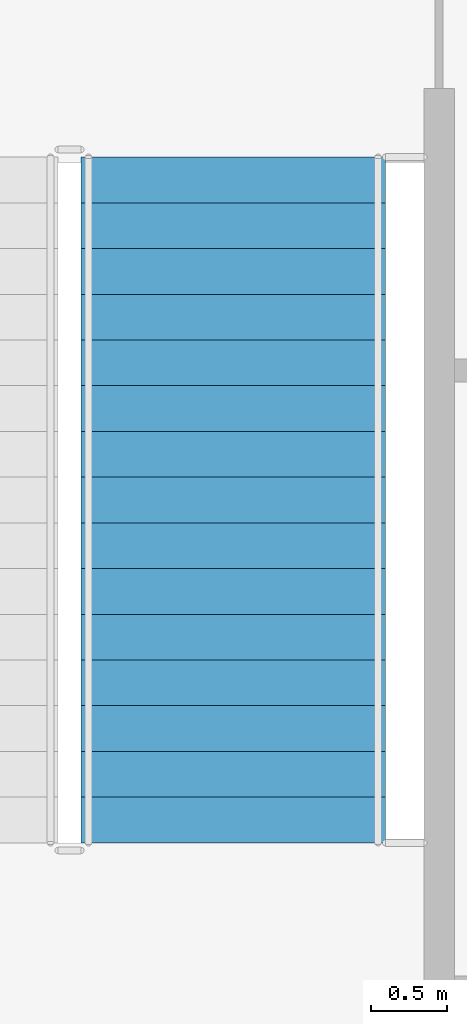
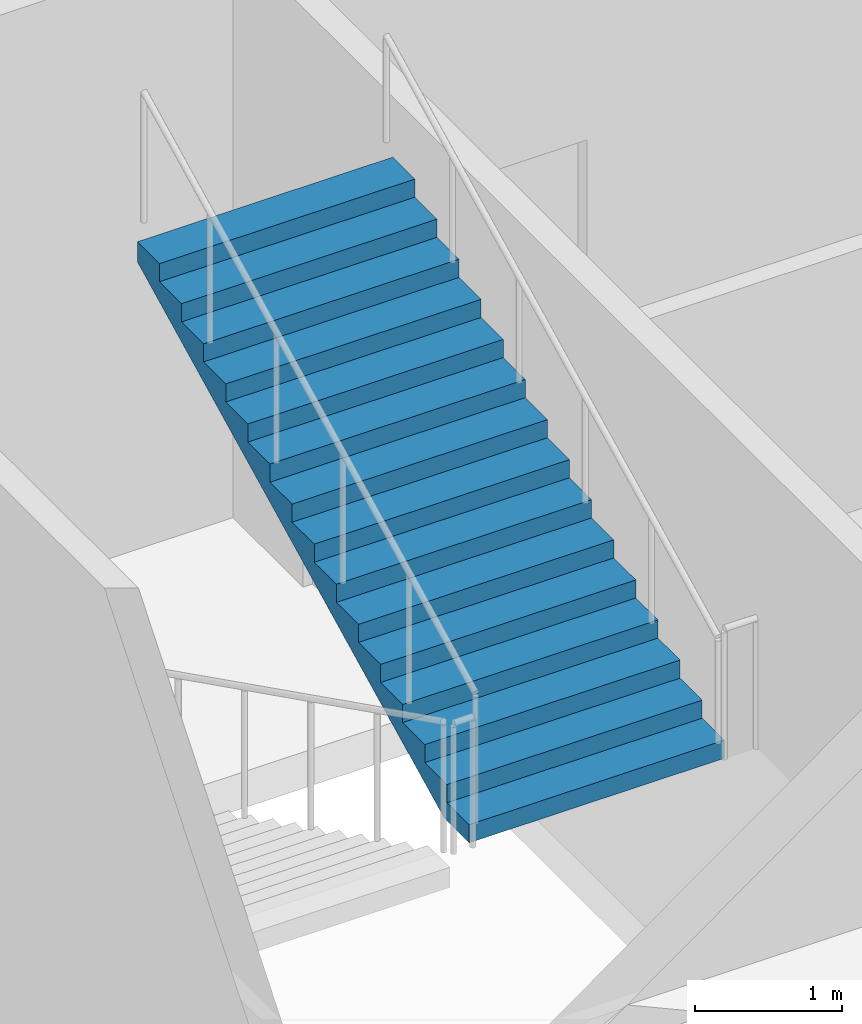
# One storey, part 55 of 67: 1 stair flight, 1 element without a shape of its own.
"""IFC4 building model written with IfcOpenShell, lengths in metres."""

from ifc_helpers import new_model, si_unit, direction, frame, origin, place, context, subcontext, project, spatial, faceted_brep, material, type_object, element, aggregate, save


model = new_model("IFC4")

# Units and contexts
model_context = context("Model", 3, precision=1e-05, world=origin(), true_north=direction((0.0, 1.0)))
body_context = subcontext(model_context, "Body", "Model", "MODEL_VIEW")
ifc_project = project(units=[si_unit("LENGTHUNIT", "METRE"), si_unit("AREAUNIT", "SQUARE_METRE"), si_unit("VOLUMEUNIT", "CUBIC_METRE"), si_unit("PLANEANGLEUNIT", "RADIAN"), si_unit("MASSUNIT", "GRAM", prefix="KILO")], contexts=[model_context])

# Site, building, storey
site_placement = place(None, origin())
site = spatial("IfcSite", under=ifc_project, at=site_placement, CompositionType="ELEMENT")
building_placement = place(site_placement, origin())
building = spatial("IfcBuilding", under=site, at=building_placement, Name="Kiln Court Media Centre", CompositionType="ELEMENT")
storey_placement = place(building_placement, frame((0.0, 0.0, 19.800048828125)))
storey = spatial("IfcBuildingStorey", under=building, at=storey_placement, Name="L04", CompositionType="ELEMENT", Elevation=19.800048828125)

# Stair, stair flight
ifc_material_1 = material(Name="Concrete C40/50", Category="concrete")
stair_type = type_object("IfcStairType", Name="Concrete C40/50 dog-leg stair 2000 wide, 150 riser", PredefinedType="HALF_TURN_STAIR", material=ifc_material_1)
stair_placement = place(storey_placement, origin())
stair = element("IfcStair", 1, at=stair_placement, inside=storey, type_object=stair_type, Name="ST-07 L04", PredefinedType="HALF_TURN_STAIR")
ifc_material_2 = material(Name="Concrete C40/50", Category="concrete")
stair_flight_type = type_object("IfcStairFlightType", Name="Concrete C40/50 stair flight 2000 wide, 150 riser, 300 going", PredefinedType="STRAIGHT", material=ifc_material_2)
stair_flight_placement = place(storey_placement, frame((3.35009765625, 59.89990234375, 2.39990234375), z_axis=(0.0, 0.0, 1.0), x_axis=(0.0, 1.0, 0.0)))
stair_flight = element("IfcStairFlight", 2, at=stair_flight_placement, type_object=stair_flight_type, Name="L04-ST-5004 flight 5009", NumberOfRisers=16, NumberOfTreads=15, PredefinedType="STRAIGHT", RiserHeight=0.15, TreadLength=0.3, context=body_context, shape_type="Brep", body=[
    faceted_brep([(0.335205078125, -1.0, 0.0), (4.5, -1.0, 2.08251953125), (4.5, -1.0, 2.25), (4.199951171875, -1.0, 2.25), (4.199951171875, -1.0, 2.10009765625), (3.89990234375, -1.0, 2.10009765625), (3.89990234375, -1.0, 1.949951171875), (3.60009765625, -1.0, 1.949951171875), (3.60009765625, -1.0, 1.800048828125), (3.300048828125, -1.0, 1.800048828125), (3.300048828125, -1.0, 1.64990234375), (3.0, -1.0, 1.64990234375), (3.0, -1.0, 1.5), (2.699951171875, -1.0, 1.5), (2.699951171875, -1.0, 1.35009765625), (2.39990234375, -1.0, 1.35009765625), (2.39990234375, -1.0, 1.199951171875), (2.10009765625, -1.0, 1.199951171875), (2.10009765625, -1.0, 1.050048828125), (1.800048828125, -1.0, 1.050048828125), (1.800048828125, -1.0, 0.89990234375), (1.5, -1.0, 0.89990234375), (1.5, -1.0, 0.75), (1.199951171875, -1.0, 0.75), (1.199951171875, -1.0, 0.60009765625), (0.89990234375, -1.0, 0.60009765625), (0.89990234375, -1.0, 0.449951171875), (0.60009765625, -1.0, 0.449951171875), (0.60009765625, -1.0, 0.300048828125), (0.300048828125, -1.0, 0.300048828125), (0.300048828125, -1.0, 0.14990234375), (0.0, -1.0, 0.14990234375), (0.0, -1.0, 0.0), (0.0, 1.0, 0.0), (0.0, 1.0, 0.14990234375), (0.300048828125, 1.0, 0.14990234375), (0.300048828125, 1.0, 0.300048828125), (0.60009765625, 1.0, 0.300048828125), (0.60009765625, 1.0, 0.449951171875), (0.89990234375, 1.0, 0.449951171875), (0.89990234375, 1.0, 0.60009765625), (1.199951171875, 1.0, 0.60009765625), (1.199951171875, 1.0, 0.75), (1.5, 1.0, 0.75), (1.5, 1.0, 0.89990234375), (1.800048828125, 1.0, 0.89990234375), (1.800048828125, 1.0, 1.050048828125), (2.10009765625, 1.0, 1.050048828125), (2.10009765625, 1.0, 1.199951171875), (2.39990234375, 1.0, 1.199951171875), (2.39990234375, 1.0, 1.35009765625), (2.699951171875, 1.0, 1.35009765625), (2.699951171875, 1.0, 1.5), (3.0, 1.0, 1.5), (3.0, 1.0, 1.64990234375), (3.300048828125, 1.0, 1.64990234375), (3.300048828125, 1.0, 1.800048828125), (3.60009765625, 1.0, 1.800048828125), (3.60009765625, 1.0, 1.949951171875), (3.89990234375, 1.0, 1.949951171875), (3.89990234375, 1.0, 2.10009765625), (4.199951171875, 1.0, 2.10009765625), (4.199951171875, 1.0, 2.25), (4.5, 1.0, 2.25), (4.5, 1.0, 2.08251953125), (0.335205078125, 1.0, 0.0), (4.5, 0.10009765625, 2.08251953125), (0.335205078125, 0.10009765625, 0.0), (4.5, 0.080078125, 2.08251953125), (0.335205078125, 0.080078125, 0.0), (4.5, 0.06005859375, 2.08251953125), (0.335205078125, 0.06005859375, 0.0), (4.5, 0.0400390625, 2.08251953125), (0.335205078125, 0.0400390625, 0.0), (4.5, 0.02001953125, 2.08251953125), (0.335205078125, 0.02001953125, 0.0), (4.5, 0.0, 2.08251953125), (0.335205078125, 0.0, 0.0), (4.5, -0.02001953125, 2.08251953125), (0.335205078125, -0.02001953125, 0.0), (4.5, -0.0400390625, 2.08251953125), (0.335205078125, -0.0400390625, 0.0), (4.5, -0.06005859375, 2.08251953125), (0.335205078125, -0.06005859375, 0.0), (4.5, -0.080078125, 2.08251953125), (0.335205078125, -0.080078125, 0.0), (4.5, -0.10009765625, 2.08251953125), (0.335205078125, -0.10009765625, 0.0), (4.5, 0.10009765625, 2.25), (4.5, 0.080078125, 2.25), (4.5, 0.06005859375, 2.25), (4.5, 0.0400390625, 2.25), (4.5, 0.02001953125, 2.25), (4.5, 0.0, 2.25), (4.5, -0.02001953125, 2.25), (4.5, -0.0400390625, 2.25), (4.5, -0.06005859375, 2.25), (4.5, -0.080078125, 2.25), (4.5, -0.10009765625, 2.25), (4.199951171875, 0.10009765625, 2.25), (4.199951171875, 0.080078125, 2.25), (4.199951171875, 0.06005859375, 2.25), (4.199951171875, 0.0400390625, 2.25), (4.199951171875, 0.02001953125, 2.25), (4.199951171875, 0.0, 2.25), (4.199951171875, -0.02001953125, 2.25), (4.199951171875, -0.0400390625, 2.25), (4.199951171875, -0.06005859375, 2.25), (4.199951171875, -0.080078125, 2.25), (4.199951171875, -0.10009765625, 2.25), (4.199951171875, 0.10009765625, 2.10009765625), (4.199951171875, 0.080078125, 2.10009765625), (4.199951171875, 0.06005859375, 2.10009765625), (4.199951171875, 0.0400390625, 2.10009765625), (4.199951171875, 0.02001953125, 2.10009765625), (4.199951171875, 0.0, 2.10009765625), (4.199951171875, -0.02001953125, 2.10009765625), (4.199951171875, -0.0400390625, 2.10009765625), (4.199951171875, -0.06005859375, 2.10009765625), (4.199951171875, -0.080078125, 2.10009765625), (4.199951171875, -0.10009765625, 2.10009765625), (3.89990234375, 0.10009765625, 2.10009765625), (3.89990234375, 0.080078125, 2.10009765625), (3.89990234375, 0.06005859375, 2.10009765625), (3.89990234375, 0.0400390625, 2.10009765625), (3.89990234375, 0.02001953125, 2.10009765625), (3.89990234375, 0.0, 2.10009765625), (3.89990234375, -0.02001953125, 2.10009765625), (3.89990234375, -0.0400390625, 2.10009765625), (3.89990234375, -0.06005859375, 2.10009765625), (3.89990234375, -0.080078125, 2.10009765625), (3.89990234375, -0.10009765625, 2.10009765625), (3.89990234375, 0.10009765625, 1.949951171875), (3.89990234375, 0.080078125, 1.949951171875), (3.89990234375, 0.06005859375, 1.949951171875), (3.89990234375, 0.0400390625, 1.949951171875), (3.89990234375, 0.02001953125, 1.949951171875), (3.89990234375, 0.0, 1.949951171875), (3.89990234375, -0.02001953125, 1.949951171875), (3.89990234375, -0.0400390625, 1.949951171875), (3.89990234375, -0.06005859375, 1.949951171875), (3.89990234375, -0.080078125, 1.949951171875), (3.89990234375, -0.10009765625, 1.949951171875), (3.60009765625, 0.10009765625, 1.949951171875), (3.60009765625, 0.080078125, 1.949951171875), (3.60009765625, 0.06005859375, 1.949951171875), (3.60009765625, 0.0400390625, 1.949951171875), (3.60009765625, 0.02001953125, 1.949951171875), (3.60009765625, 0.0, 1.949951171875), (3.60009765625, -0.02001953125, 1.949951171875), (3.60009765625, -0.0400390625, 1.949951171875), (3.60009765625, -0.06005859375, 1.949951171875), (3.60009765625, -0.080078125, 1.949951171875), (3.60009765625, -0.10009765625, 1.949951171875), (3.60009765625, 0.10009765625, 1.800048828125), (3.60009765625, 0.080078125, 1.800048828125), (3.60009765625, 0.06005859375, 1.800048828125), (3.60009765625, 0.0400390625, 1.800048828125), (3.60009765625, 0.02001953125, 1.800048828125), (3.60009765625, 0.0, 1.800048828125), (3.60009765625, -0.02001953125, 1.800048828125), (3.60009765625, -0.0400390625, 1.800048828125), (3.60009765625, -0.06005859375, 1.800048828125), (3.60009765625, -0.080078125, 1.800048828125), (3.60009765625, -0.10009765625, 1.800048828125), (3.300048828125, 0.10009765625, 1.800048828125), (3.300048828125, 0.080078125, 1.800048828125), (3.300048828125, 0.06005859375, 1.800048828125), (3.300048828125, 0.0400390625, 1.800048828125), (3.300048828125, 0.02001953125, 1.800048828125), (3.300048828125, 0.0, 1.800048828125), (3.300048828125, -0.02001953125, 1.800048828125), (3.300048828125, -0.0400390625, 1.800048828125), (3.300048828125, -0.06005859375, 1.800048828125), (3.300048828125, -0.080078125, 1.800048828125), (3.300048828125, -0.10009765625, 1.800048828125), (3.300048828125, 0.10009765625, 1.64990234375), (3.300048828125, 0.080078125, 1.64990234375), (3.300048828125, 0.06005859375, 1.64990234375), (3.300048828125, 0.0400390625, 1.64990234375), (3.300048828125, 0.02001953125, 1.64990234375), (3.300048828125, 0.0, 1.64990234375), (3.300048828125, -0.02001953125, 1.64990234375), (3.300048828125, -0.0400390625, 1.64990234375), (3.300048828125, -0.06005859375, 1.64990234375), (3.300048828125, -0.080078125, 1.64990234375), (3.300048828125, -0.10009765625, 1.64990234375), (3.0, 0.10009765625, 1.64990234375), (3.0, 0.080078125, 1.64990234375), (3.0, 0.06005859375, 1.64990234375), (3.0, 0.0400390625, 1.64990234375), (3.0, 0.02001953125, 1.64990234375), (3.0, 0.0, 1.64990234375), (3.0, -0.02001953125, 1.64990234375), (3.0, -0.0400390625, 1.64990234375), (3.0, -0.06005859375, 1.64990234375), (3.0, -0.080078125, 1.64990234375), (3.0, -0.10009765625, 1.64990234375), (3.0, 0.10009765625, 1.5), (3.0, 0.080078125, 1.5), (3.0, 0.06005859375, 1.5), (3.0, 0.0400390625, 1.5), (3.0, 0.02001953125, 1.5), (3.0, 0.0, 1.5), (3.0, -0.02001953125, 1.5), (3.0, -0.0400390625, 1.5), (3.0, -0.06005859375, 1.5), (3.0, -0.080078125, 1.5), (3.0, -0.10009765625, 1.5), (2.699951171875, 0.10009765625, 1.5), (2.699951171875, 0.080078125, 1.5), (2.699951171875, 0.06005859375, 1.5), (2.699951171875, 0.0400390625, 1.5), (2.699951171875, 0.02001953125, 1.5), (2.699951171875, 0.0, 1.5), (2.699951171875, -0.02001953125, 1.5), (2.699951171875, -0.0400390625, 1.5), (2.699951171875, -0.06005859375, 1.5), (2.699951171875, -0.080078125, 1.5), (2.699951171875, -0.10009765625, 1.5), (2.699951171875, 0.10009765625, 1.35009765625), (2.699951171875, 0.080078125, 1.35009765625), (2.699951171875, 0.06005859375, 1.35009765625), (2.699951171875, 0.0400390625, 1.35009765625), (2.699951171875, 0.02001953125, 1.35009765625), (2.699951171875, 0.0, 1.35009765625), (2.699951171875, -0.02001953125, 1.35009765625), (2.699951171875, -0.0400390625, 1.35009765625), (2.699951171875, -0.06005859375, 1.35009765625), (2.699951171875, -0.080078125, 1.35009765625), (2.699951171875, -0.10009765625, 1.35009765625), (2.39990234375, 0.10009765625, 1.35009765625), (2.39990234375, 0.080078125, 1.35009765625), (2.39990234375, 0.06005859375, 1.35009765625), (2.39990234375, 0.0400390625, 1.35009765625), (2.39990234375, 0.02001953125, 1.35009765625), (2.39990234375, 0.0, 1.35009765625), (2.39990234375, -0.02001953125, 1.35009765625), (2.39990234375, -0.0400390625, 1.35009765625), (2.39990234375, -0.06005859375, 1.35009765625), (2.39990234375, -0.080078125, 1.35009765625), (2.39990234375, -0.10009765625, 1.35009765625), (2.39990234375, 0.10009765625, 1.199951171875), (2.39990234375, 0.080078125, 1.199951171875), (2.39990234375, 0.06005859375, 1.199951171875), (2.39990234375, 0.0400390625, 1.199951171875), (2.39990234375, 0.02001953125, 1.199951171875), (2.39990234375, 0.0, 1.199951171875), (2.39990234375, -0.02001953125, 1.199951171875), (2.39990234375, -0.0400390625, 1.199951171875), (2.39990234375, -0.06005859375, 1.199951171875), (2.39990234375, -0.080078125, 1.199951171875), (2.39990234375, -0.10009765625, 1.199951171875), (2.10009765625, 0.10009765625, 1.199951171875), (2.10009765625, 0.080078125, 1.199951171875), (2.10009765625, 0.06005859375, 1.199951171875), (2.10009765625, 0.0400390625, 1.199951171875), (2.10009765625, 0.02001953125, 1.199951171875), (2.10009765625, 0.0, 1.199951171875), (2.10009765625, -0.02001953125, 1.199951171875), (2.10009765625, -0.0400390625, 1.199951171875), (2.10009765625, -0.06005859375, 1.199951171875), (2.10009765625, -0.080078125, 1.199951171875), (2.10009765625, -0.10009765625, 1.199951171875), (2.10009765625, 0.10009765625, 1.050048828125), (2.10009765625, 0.080078125, 1.050048828125), (2.10009765625, 0.06005859375, 1.050048828125), (2.10009765625, 0.0400390625, 1.050048828125), (2.10009765625, 0.02001953125, 1.050048828125), (2.10009765625, 0.0, 1.050048828125), (2.10009765625, -0.02001953125, 1.050048828125), (2.10009765625, -0.0400390625, 1.050048828125), (2.10009765625, -0.06005859375, 1.050048828125), (2.10009765625, -0.080078125, 1.050048828125), (2.10009765625, -0.10009765625, 1.050048828125), (1.800048828125, 0.10009765625, 1.050048828125), (1.800048828125, 0.080078125, 1.050048828125), (1.800048828125, 0.06005859375, 1.050048828125), (1.800048828125, 0.0400390625, 1.050048828125), (1.800048828125, 0.02001953125, 1.050048828125), (1.800048828125, 0.0, 1.050048828125), (1.800048828125, -0.02001953125, 1.050048828125), (1.800048828125, -0.0400390625, 1.050048828125), (1.800048828125, -0.06005859375, 1.050048828125), (1.800048828125, -0.080078125, 1.050048828125), (1.800048828125, -0.10009765625, 1.050048828125), (1.800048828125, 0.10009765625, 0.89990234375), (1.800048828125, 0.080078125, 0.89990234375), (1.800048828125, 0.06005859375, 0.89990234375), (1.800048828125, 0.0400390625, 0.89990234375), (1.800048828125, 0.02001953125, 0.89990234375), (1.800048828125, 0.0, 0.89990234375), (1.800048828125, -0.02001953125, 0.89990234375), (1.800048828125, -0.0400390625, 0.89990234375), (1.800048828125, -0.06005859375, 0.89990234375), (1.800048828125, -0.080078125, 0.89990234375), (1.800048828125, -0.10009765625, 0.89990234375), (1.5, 0.10009765625, 0.89990234375), (1.5, 0.080078125, 0.89990234375), (1.5, 0.06005859375, 0.89990234375), (1.5, 0.0400390625, 0.89990234375), (1.5, 0.02001953125, 0.89990234375), (1.5, 0.0, 0.89990234375), (1.5, -0.02001953125, 0.89990234375), (1.5, -0.0400390625, 0.89990234375), (1.5, -0.06005859375, 0.89990234375), (1.5, -0.080078125, 0.89990234375), (1.5, -0.10009765625, 0.89990234375), (1.5, 0.10009765625, 0.75), (1.5, 0.080078125, 0.75), (1.5, 0.06005859375, 0.75), (1.5, 0.0400390625, 0.75), (1.5, 0.02001953125, 0.75), (1.5, 0.0, 0.75), (1.5, -0.02001953125, 0.75), (1.5, -0.0400390625, 0.75), (1.5, -0.06005859375, 0.75), (1.5, -0.080078125, 0.75), (1.5, -0.10009765625, 0.75), (1.199951171875, 0.10009765625, 0.75), (1.199951171875, 0.080078125, 0.75), (1.199951171875, 0.06005859375, 0.75), (1.199951171875, 0.0400390625, 0.75), (1.199951171875, 0.02001953125, 0.75), (1.199951171875, 0.0, 0.75), (1.199951171875, -0.02001953125, 0.75), (1.199951171875, -0.0400390625, 0.75), (1.199951171875, -0.06005859375, 0.75), (1.199951171875, -0.080078125, 0.75), (1.199951171875, -0.10009765625, 0.75), (1.199951171875, 0.10009765625, 0.60009765625), (1.199951171875, 0.080078125, 0.60009765625), (1.199951171875, 0.06005859375, 0.60009765625), (1.199951171875, 0.0400390625, 0.60009765625), (1.199951171875, 0.02001953125, 0.60009765625), (1.199951171875, 0.0, 0.60009765625), (1.199951171875, -0.02001953125, 0.60009765625), (1.199951171875, -0.0400390625, 0.60009765625), (1.199951171875, -0.06005859375, 0.60009765625), (1.199951171875, -0.080078125, 0.60009765625), (1.199951171875, -0.10009765625, 0.60009765625), (0.89990234375, 0.10009765625, 0.60009765625), (0.89990234375, 0.080078125, 0.60009765625), (0.89990234375, 0.06005859375, 0.60009765625), (0.89990234375, 0.0400390625, 0.60009765625), (0.89990234375, 0.02001953125, 0.60009765625), (0.89990234375, 0.0, 0.60009765625), (0.89990234375, -0.02001953125, 0.60009765625), (0.89990234375, -0.0400390625, 0.60009765625), (0.89990234375, -0.06005859375, 0.60009765625), (0.89990234375, -0.080078125, 0.60009765625), (0.89990234375, -0.10009765625, 0.60009765625), (0.89990234375, 0.10009765625, 0.449951171875), (0.89990234375, 0.080078125, 0.449951171875), (0.89990234375, 0.06005859375, 0.449951171875), (0.89990234375, 0.0400390625, 0.449951171875), (0.89990234375, 0.02001953125, 0.449951171875), (0.89990234375, 0.0, 0.449951171875), (0.89990234375, -0.02001953125, 0.449951171875), (0.89990234375, -0.0400390625, 0.449951171875), (0.89990234375, -0.06005859375, 0.449951171875), (0.89990234375, -0.080078125, 0.449951171875), (0.89990234375, -0.10009765625, 0.449951171875), (0.60009765625, 0.10009765625, 0.449951171875), (0.60009765625, 0.080078125, 0.449951171875), (0.60009765625, 0.06005859375, 0.449951171875), (0.60009765625, 0.0400390625, 0.449951171875), (0.60009765625, 0.02001953125, 0.449951171875), (0.60009765625, 0.0, 0.449951171875), (0.60009765625, -0.02001953125, 0.449951171875), (0.60009765625, -0.0400390625, 0.449951171875), (0.60009765625, -0.06005859375, 0.449951171875), (0.60009765625, -0.080078125, 0.449951171875), (0.60009765625, -0.10009765625, 0.449951171875), (0.60009765625, 0.10009765625, 0.300048828125), (0.60009765625, 0.080078125, 0.300048828125), (0.60009765625, 0.06005859375, 0.300048828125), (0.60009765625, 0.0400390625, 0.300048828125), (0.60009765625, 0.02001953125, 0.300048828125), (0.60009765625, 0.0, 0.300048828125), (0.60009765625, -0.02001953125, 0.300048828125), (0.60009765625, -0.0400390625, 0.300048828125), (0.60009765625, -0.06005859375, 0.300048828125), (0.60009765625, -0.080078125, 0.300048828125), (0.60009765625, -0.10009765625, 0.300048828125), (0.300048828125, 0.10009765625, 0.300048828125), (0.300048828125, 0.080078125, 0.300048828125), (0.300048828125, 0.06005859375, 0.300048828125), (0.300048828125, 0.0400390625, 0.300048828125), (0.300048828125, 0.02001953125, 0.300048828125), (0.300048828125, 0.0, 0.300048828125), (0.300048828125, -0.02001953125, 0.300048828125), (0.300048828125, -0.0400390625, 0.300048828125), (0.300048828125, -0.06005859375, 0.300048828125), (0.300048828125, -0.080078125, 0.300048828125), (0.300048828125, -0.10009765625, 0.300048828125), (0.300048828125, 0.10009765625, 0.14990234375), (0.300048828125, 0.080078125, 0.14990234375), (0.300048828125, 0.06005859375, 0.14990234375), (0.300048828125, 0.0400390625, 0.14990234375), (0.300048828125, 0.02001953125, 0.14990234375), (0.300048828125, 0.0, 0.14990234375), (0.300048828125, -0.02001953125, 0.14990234375), (0.300048828125, -0.0400390625, 0.14990234375), (0.300048828125, -0.06005859375, 0.14990234375), (0.300048828125, -0.080078125, 0.14990234375), (0.300048828125, -0.10009765625, 0.14990234375), (0.0, 0.10009765625, 0.14990234375), (0.0, 0.080078125, 0.14990234375), (0.0, 0.06005859375, 0.14990234375), (0.0, 0.0400390625, 0.14990234375), (0.0, 0.02001953125, 0.14990234375), (0.0, 0.0, 0.14990234375), (0.0, -0.02001953125, 0.14990234375), (0.0, -0.0400390625, 0.14990234375), (0.0, -0.06005859375, 0.14990234375), (0.0, -0.080078125, 0.14990234375), (0.0, -0.10009765625, 0.14990234375), (0.0, 0.10009765625, 0.0), (0.0, 0.080078125, 0.0), (0.0, 0.06005859375, 0.0), (0.0, 0.0400390625, 0.0), (0.0, 0.02001953125, 0.0), (0.0, 0.0, 0.0), (0.0, -0.02001953125, 0.0), (0.0, -0.0400390625, 0.0), (0.0, -0.06005859375, 0.0), (0.0, -0.080078125, 0.0), (0.0, -0.10009765625, 0.0)], [[[0, 1, 2, 3, 4, 5, 6, 7, 8, 9, 10, 11, 12, 13, 14, 15, 16, 17, 18, 19, 20, 21, 22, 23, 24, 25, 26, 27, 28, 29, 30, 31, 32]], [[33, 34, 35, 36, 37, 38, 39, 40, 41, 42, 43, 44, 45, 46, 47, 48, 49, 50, 51, 52, 53, 54, 55, 56, 57, 58, 59, 60, 61, 62, 63, 64, 65]], [[65, 64, 66, 67]], [[67, 66, 68, 69]], [[69, 68, 70, 71]], [[71, 70, 72, 73]], [[73, 72, 74, 75]], [[75, 74, 76, 77]], [[77, 76, 78, 79]], [[79, 78, 80, 81]], [[81, 80, 82, 83]], [[83, 82, 84, 85]], [[85, 84, 86, 87]], [[87, 86, 1, 0]], [[64, 63, 88, 66]], [[66, 88, 89, 68]], [[68, 89, 90, 70]], [[70, 90, 91, 72]], [[72, 91, 92, 74]], [[74, 92, 93, 76]], [[76, 93, 94, 78]], [[78, 94, 95, 80]], [[80, 95, 96, 82]], [[82, 96, 97, 84]], [[84, 97, 98, 86]], [[86, 98, 2, 1]], [[63, 62, 99, 88]], [[88, 99, 100, 89]], [[89, 100, 101, 90]], [[90, 101, 102, 91]], [[91, 102, 103, 92]], [[92, 103, 104, 93]], [[93, 104, 105, 94]], [[94, 105, 106, 95]], [[95, 106, 107, 96]], [[96, 107, 108, 97]], [[97, 108, 109, 98]], [[98, 109, 3, 2]], [[62, 61, 110, 99]], [[99, 110, 111, 100]], [[100, 111, 112, 101]], [[101, 112, 113, 102]], [[102, 113, 114, 103]], [[103, 114, 115, 104]], [[104, 115, 116, 105]], [[105, 116, 117, 106]], [[106, 117, 118, 107]], [[107, 118, 119, 108]], [[108, 119, 120, 109]], [[109, 120, 4, 3]], [[61, 60, 121, 110]], [[110, 121, 122, 111]], [[111, 122, 123, 112]], [[112, 123, 124, 113]], [[113, 124, 125, 114]], [[114, 125, 126, 115]], [[115, 126, 127, 116]], [[116, 127, 128, 117]], [[117, 128, 129, 118]], [[118, 129, 130, 119]], [[119, 130, 131, 120]], [[120, 131, 5, 4]], [[60, 59, 132, 121]], [[121, 132, 133, 122]], [[122, 133, 134, 123]], [[123, 134, 135, 124]], [[124, 135, 136, 125]], [[125, 136, 137, 126]], [[126, 137, 138, 127]], [[127, 138, 139, 128]], [[128, 139, 140, 129]], [[129, 140, 141, 130]], [[130, 141, 142, 131]], [[131, 142, 6, 5]], [[59, 58, 143, 132]], [[132, 143, 144, 133]], [[133, 144, 145, 134]], [[134, 145, 146, 135]], [[135, 146, 147, 136]], [[136, 147, 148, 137]], [[137, 148, 149, 138]], [[138, 149, 150, 139]], [[139, 150, 151, 140]], [[140, 151, 152, 141]], [[141, 152, 153, 142]], [[142, 153, 7, 6]], [[58, 57, 154, 143]], [[143, 154, 155, 144]], [[144, 155, 156, 145]], [[145, 156, 157, 146]], [[146, 157, 158, 147]], [[147, 158, 159, 148]], [[148, 159, 160, 149]], [[149, 160, 161, 150]], [[150, 161, 162, 151]], [[151, 162, 163, 152]], [[152, 163, 164, 153]], [[153, 164, 8, 7]], [[57, 56, 165, 154]], [[154, 165, 166, 155]], [[155, 166, 167, 156]], [[156, 167, 168, 157]], [[157, 168, 169, 158]], [[158, 169, 170, 159]], [[159, 170, 171, 160]], [[160, 171, 172, 161]], [[161, 172, 173, 162]], [[162, 173, 174, 163]], [[163, 174, 175, 164]], [[164, 175, 9, 8]], [[56, 55, 176, 165]], [[165, 176, 177, 166]], [[166, 177, 178, 167]], [[167, 178, 179, 168]], [[168, 179, 180, 169]], [[169, 180, 181, 170]], [[170, 181, 182, 171]], [[171, 182, 183, 172]], [[172, 183, 184, 173]], [[173, 184, 185, 174]], [[174, 185, 186, 175]], [[175, 186, 10, 9]], [[55, 54, 187, 176]], [[176, 187, 188, 177]], [[177, 188, 189, 178]], [[178, 189, 190, 179]], [[179, 190, 191, 180]], [[180, 191, 192, 181]], [[181, 192, 193, 182]], [[182, 193, 194, 183]], [[183, 194, 195, 184]], [[184, 195, 196, 185]], [[185, 196, 197, 186]], [[186, 197, 11, 10]], [[54, 53, 198, 187]], [[187, 198, 199, 188]], [[188, 199, 200, 189]], [[189, 200, 201, 190]], [[190, 201, 202, 191]], [[191, 202, 203, 192]], [[192, 203, 204, 193]], [[193, 204, 205, 194]], [[194, 205, 206, 195]], [[195, 206, 207, 196]], [[196, 207, 208, 197]], [[197, 208, 12, 11]], [[53, 52, 209, 198]], [[198, 209, 210, 199]], [[199, 210, 211, 200]], [[200, 211, 212, 201]], [[201, 212, 213, 202]], [[202, 213, 214, 203]], [[203, 214, 215, 204]], [[204, 215, 216, 205]], [[205, 216, 217, 206]], [[206, 217, 218, 207]], [[207, 218, 219, 208]], [[208, 219, 13, 12]], [[52, 51, 220, 209]], [[209, 220, 221, 210]], [[210, 221, 222, 211]], [[211, 222, 223, 212]], [[212, 223, 224, 213]], [[213, 224, 225, 214]], [[214, 225, 226, 215]], [[215, 226, 227, 216]], [[216, 227, 228, 217]], [[217, 228, 229, 218]], [[218, 229, 230, 219]], [[219, 230, 14, 13]], [[51, 50, 231, 220]], [[220, 231, 232, 221]], [[221, 232, 233, 222]], [[222, 233, 234, 223]], [[223, 234, 235, 224]], [[224, 235, 236, 225]], [[225, 236, 237, 226]], [[226, 237, 238, 227]], [[227, 238, 239, 228]], [[228, 239, 240, 229]], [[229, 240, 241, 230]], [[230, 241, 15, 14]], [[50, 49, 242, 231]], [[231, 242, 243, 232]], [[232, 243, 244, 233]], [[233, 244, 245, 234]], [[234, 245, 246, 235]], [[235, 246, 247, 236]], [[236, 247, 248, 237]], [[237, 248, 249, 238]], [[238, 249, 250, 239]], [[239, 250, 251, 240]], [[240, 251, 252, 241]], [[241, 252, 16, 15]], [[49, 48, 253, 242]], [[242, 253, 254, 243]], [[243, 254, 255, 244]], [[244, 255, 256, 245]], [[245, 256, 257, 246]], [[246, 257, 258, 247]], [[247, 258, 259, 248]], [[248, 259, 260, 249]], [[249, 260, 261, 250]], [[250, 261, 262, 251]], [[251, 262, 263, 252]], [[252, 263, 17, 16]], [[48, 47, 264, 253]], [[253, 264, 265, 254]], [[254, 265, 266, 255]], [[255, 266, 267, 256]], [[256, 267, 268, 257]], [[257, 268, 269, 258]], [[258, 269, 270, 259]], [[259, 270, 271, 260]], [[260, 271, 272, 261]], [[261, 272, 273, 262]], [[262, 273, 274, 263]], [[263, 274, 18, 17]], [[47, 46, 275, 264]], [[264, 275, 276, 265]], [[265, 276, 277, 266]], [[266, 277, 278, 267]], [[267, 278, 279, 268]], [[268, 279, 280, 269]], [[269, 280, 281, 270]], [[270, 281, 282, 271]], [[271, 282, 283, 272]], [[272, 283, 284, 273]], [[273, 284, 285, 274]], [[274, 285, 19, 18]], [[46, 45, 286, 275]], [[275, 286, 287, 276]], [[276, 287, 288, 277]], [[277, 288, 289, 278]], [[278, 289, 290, 279]], [[279, 290, 291, 280]], [[280, 291, 292, 281]], [[281, 292, 293, 282]], [[282, 293, 294, 283]], [[283, 294, 295, 284]], [[284, 295, 296, 285]], [[285, 296, 20, 19]], [[45, 44, 297, 286]], [[286, 297, 298, 287]], [[287, 298, 299, 288]], [[288, 299, 300, 289]], [[289, 300, 301, 290]], [[290, 301, 302, 291]], [[291, 302, 303, 292]], [[292, 303, 304, 293]], [[293, 304, 305, 294]], [[294, 305, 306, 295]], [[295, 306, 307, 296]], [[296, 307, 21, 20]], [[44, 43, 308, 297]], [[297, 308, 309, 298]], [[298, 309, 310, 299]], [[299, 310, 311, 300]], [[300, 311, 312, 301]], [[301, 312, 313, 302]], [[302, 313, 314, 303]], [[303, 314, 315, 304]], [[304, 315, 316, 305]], [[305, 316, 317, 306]], [[306, 317, 318, 307]], [[307, 318, 22, 21]], [[43, 42, 319, 308]], [[308, 319, 320, 309]], [[309, 320, 321, 310]], [[310, 321, 322, 311]], [[311, 322, 323, 312]], [[312, 323, 324, 313]], [[313, 324, 325, 314]], [[314, 325, 326, 315]], [[315, 326, 327, 316]], [[316, 327, 328, 317]], [[317, 328, 329, 318]], [[318, 329, 23, 22]], [[42, 41, 330, 319]], [[319, 330, 331, 320]], [[320, 331, 332, 321]], [[321, 332, 333, 322]], [[322, 333, 334, 323]], [[323, 334, 335, 324]], [[324, 335, 336, 325]], [[325, 336, 337, 326]], [[326, 337, 338, 327]], [[327, 338, 339, 328]], [[328, 339, 340, 329]], [[329, 340, 24, 23]], [[41, 40, 341, 330]], [[330, 341, 342, 331]], [[331, 342, 343, 332]], [[332, 343, 344, 333]], [[333, 344, 345, 334]], [[334, 345, 346, 335]], [[335, 346, 347, 336]], [[336, 347, 348, 337]], [[337, 348, 349, 338]], [[338, 349, 350, 339]], [[339, 350, 351, 340]], [[340, 351, 25, 24]], [[40, 39, 352, 341]], [[341, 352, 353, 342]], [[342, 353, 354, 343]], [[343, 354, 355, 344]], [[344, 355, 356, 345]], [[345, 356, 357, 346]], [[346, 357, 358, 347]], [[347, 358, 359, 348]], [[348, 359, 360, 349]], [[349, 360, 361, 350]], [[350, 361, 362, 351]], [[351, 362, 26, 25]], [[39, 38, 363, 352]], [[352, 363, 364, 353]], [[353, 364, 365, 354]], [[354, 365, 366, 355]], [[355, 366, 367, 356]], [[356, 367, 368, 357]], [[357, 368, 369, 358]], [[358, 369, 370, 359]], [[359, 370, 371, 360]], [[360, 371, 372, 361]], [[361, 372, 373, 362]], [[362, 373, 27, 26]], [[38, 37, 374, 363]], [[363, 374, 375, 364]], [[364, 375, 376, 365]], [[365, 376, 377, 366]], [[366, 377, 378, 367]], [[367, 378, 379, 368]], [[368, 379, 380, 369]], [[369, 380, 381, 370]], [[370, 381, 382, 371]], [[371, 382, 383, 372]], [[372, 383, 384, 373]], [[373, 384, 28, 27]], [[37, 36, 385, 374]], [[374, 385, 386, 375]], [[375, 386, 387, 376]], [[376, 387, 388, 377]], [[377, 388, 389, 378]], [[378, 389, 390, 379]], [[379, 390, 391, 380]], [[380, 391, 392, 381]], [[381, 392, 393, 382]], [[382, 393, 394, 383]], [[383, 394, 395, 384]], [[384, 395, 29, 28]], [[36, 35, 396, 385]], [[385, 396, 397, 386]], [[386, 397, 398, 387]], [[387, 398, 399, 388]], [[388, 399, 400, 389]], [[389, 400, 401, 390]], [[390, 401, 402, 391]], [[391, 402, 403, 392]], [[392, 403, 404, 393]], [[393, 404, 405, 394]], [[394, 405, 406, 395]], [[395, 406, 30, 29]], [[35, 34, 407, 396]], [[396, 407, 408, 397]], [[397, 408, 409, 398]], [[398, 409, 410, 399]], [[399, 410, 411, 400]], [[400, 411, 412, 401]], [[401, 412, 413, 402]], [[402, 413, 414, 403]], [[403, 414, 415, 404]], [[404, 415, 416, 405]], [[405, 416, 417, 406]], [[406, 417, 31, 30]], [[34, 33, 418, 407]], [[407, 418, 419, 408]], [[408, 419, 420, 409]], [[409, 420, 421, 410]], [[410, 421, 422, 411]], [[411, 422, 423, 412]], [[412, 423, 424, 413]], [[413, 424, 425, 414]], [[414, 425, 426, 415]], [[415, 426, 427, 416]], [[416, 427, 428, 417]], [[417, 428, 32, 31]], [[33, 65, 67, 418]], [[418, 67, 69, 419]], [[419, 69, 71, 420]], [[420, 71, 73, 421]], [[421, 73, 75, 422]], [[422, 75, 77, 423]], [[423, 77, 79, 424]], [[424, 79, 81, 425]], [[425, 81, 83, 426]], [[426, 83, 85, 427]], [[427, 85, 87, 428]], [[428, 87, 0, 32]]]),
])
aggregate(stair, [stair_flight])

save(model, "model.ifc")
